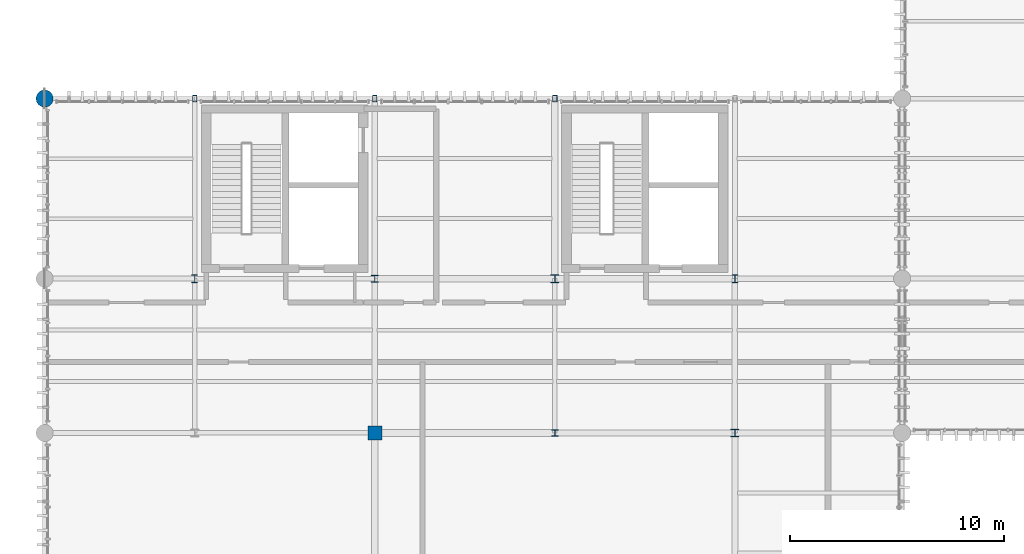
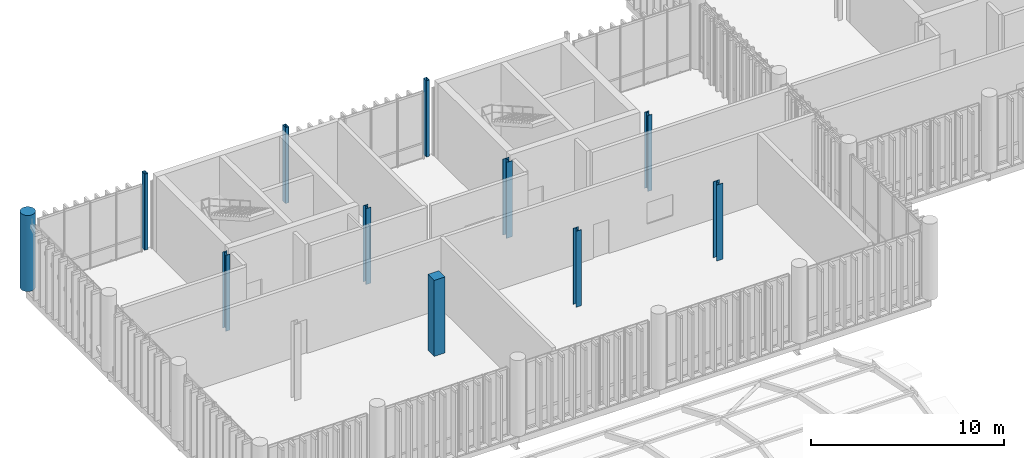
# One storey, part 2 of 94: 11 columns.
"""IFC4 building model written with IfcOpenShell, lengths in metres."""

from ifc_helpers import new_model, si_unit, direction, frame, origin_with_axes, origin_2d_with_axis, place, context, subcontext, project, spatial, rectangle, hollow_rectangle, circle, i_section, extrude, material, material_profile, profile_set, type_object, element, save


model = new_model("IFC4")

# Units and contexts
model_context = context("Model", 3, precision=1e-05, world=origin_with_axes(), true_north=direction((0.0, 1.0)))
body_context = subcontext(model_context, "Body", "Model", "MODEL_VIEW")
ifc_project = project(units=[si_unit("LENGTHUNIT", "METRE"), si_unit("AREAUNIT", "SQUARE_METRE"), si_unit("VOLUMEUNIT", "CUBIC_METRE"), si_unit("PLANEANGLEUNIT", "RADIAN"), si_unit("MASSUNIT", "GRAM", prefix="KILO"), si_unit("THERMODYNAMICTEMPERATUREUNIT", "KELVIN")], contexts=[model_context])

# Site, building, storey
site_placement = place(None, origin_with_axes())
site = spatial("IfcSite", under=ifc_project, at=site_placement, CompositionType="ELEMENT")
building_placement = place(site_placement, origin_with_axes())
building = spatial("IfcBuilding", under=site, at=building_placement, Name="Montbau Bow Law Courts", CompositionType="ELEMENT")
storey_placement = place(building_placement, frame((0.0, 0.0, 15.6), z_axis=(0.0, 0.0, 1.0), x_axis=(1.0, 0.0, 0.0)))
storey = spatial("IfcBuildingStorey", under=building, at=storey_placement, Name="L03", CompositionType="ELEMENT", Elevation=15.6)

# Columns
ifc_material_1 = material(Name="Steel CSA G40.21 Grade 350WT (350 MPa)", Category="steel")
ifc_material_profile_1 = material_profile(ifc_material_1, hollow_rectangle(XDim=0.203, YDim=0.305, WallThickness=0.0127, InnerFilletRadius=0.0254, OuterFilletRadius=0.0127, at=origin_2d_with_axis()), Name="HSS305X203X13", Category="Main", Priority=0)
ifc_profile_set_1 = profile_set([ifc_material_profile_1], Name="Steel CSA G40.21 Grade 350WT (350 MPa)")
column_type_1 = type_object("IfcColumnType", Name="C-HSS-03", PredefinedType="COLUMN", material=ifc_profile_set_1)
for number, where, z_axis, x_axis, name in (
    (1, (13.8, 54.6, 15.6), (0.0, 0.0, 1.0), (1.0, 0.0, 0.0), "C-L03-S0650:col2_0650"),
    (2, (22.2, 54.6, 15.6), (0.0, 0.0, 1.0), (1.0, 0.0, 0.0), "C-L03-S0654:col2_0654"),
    (3, (30.6, 54.6, 15.6), (0.0, 0.0, 1.0), (1.0, 0.0, 0.0), "C-L03-S0658:col2_0658"),
):
    element("IfcColumn", number, at=place(None, frame(where, z_axis=z_axis, x_axis=x_axis)), inside=storey, type_object=column_type_1, Name=name, PredefinedType="COLUMN", context=body_context, shape_type="SweptSolid", body=[
        extrude(hollow_rectangle(XDim=0.203, YDim=0.305, WallThickness=0.0127, InnerFilletRadius=0.0254, OuterFilletRadius=0.0127, at=origin_2d_with_axis()), origin_with_axes(), (0.0, 0.0, 1.0), 4.8),
    ])
ifc_material_2 = material(Name="Concrete CSA A23.1 f'c 40 MPa", Category="concrete")
ifc_material_profile_2 = material_profile(ifc_material_2, rectangle(XDim=0.65, YDim=0.65, at=origin_2d_with_axis()), Name="RC650X650", Category="Main", Priority=0)
ifc_profile_set_2 = profile_set([ifc_material_profile_2], Name="Concrete CSA A23.1 f'c 40 MPa")
column_type_2 = type_object("IfcColumnType", Name="C-RC-05", PredefinedType="COLUMN", material=ifc_profile_set_2)
column_1_placement = place(None, frame((22.2, 39.0, 15.6), z_axis=(0.0, 0.0, 1.0), x_axis=(1.0, 0.0, 0.0)))
element("IfcColumn", 4, at=column_1_placement, inside=storey, type_object=column_type_2, Name="C-L03-S0652:col2_0652", PredefinedType="COLUMN", context=body_context, shape_type="SweptSolid", body=[
    extrude(rectangle(XDim=0.65, YDim=0.65, at=origin_2d_with_axis()), origin_with_axes(), (0.0, 0.0, 1.0), 4.8),
])
ifc_material_profile_3 = material_profile(ifc_material_2, circle(Radius=0.4, at=origin_2d_with_axis()), Name="RC800D", Category="Main", Priority=0)
ifc_profile_set_3 = profile_set([ifc_material_profile_3], Name="Concrete CSA A23.1 f'c 40 MPa")
column_type_3 = type_object("IfcColumnType", Name="C-RC-07", PredefinedType="COLUMN", material=ifc_profile_set_3)
column_2_placement = place(None, frame((6.8, 54.6, 15.6), z_axis=(0.0, 0.0, 1.0), x_axis=(1.0, 0.0, 0.0)))
element("IfcColumn", 5, at=column_2_placement, inside=storey, type_object=column_type_3, Name="C-L03-S0646:col2_0646", PredefinedType="COLUMN", context=body_context, shape_type="SweptSolid", body=[
    extrude(circle(Radius=0.4, at=origin_2d_with_axis()), origin_with_axes(), (0.0, 0.0, 1.0), 4.8),
])
ifc_material_3 = material(Name="Steel CSA G40.21 Grade 350W (350 MPa)", Category="steel")
ifc_material_profile_4 = material_profile(ifc_material_3, i_section(OverallWidth=0.373, OverallDepth=0.368, WebThickness=0.015, FlangeThickness=0.0239, at=origin_2d_with_axis()), Name="W360X179", Category="Main", Priority=0)
ifc_profile_set_4 = profile_set([ifc_material_profile_4], Name="Steel CSA G40.21 Grade 350W (350 MPa)")
column_type_4 = type_object("IfcColumnType", Name="C-STL-04", PredefinedType="COLUMN", material=ifc_profile_set_4)
for number, where, z_axis, x_axis, name in (
    (6, (30.6, 46.2, 15.6), (0.0, 0.0, 1.0), (1.0, 0.0, 0.0), "C-L03-S0657:col2_0657"),
    (7, (39.0, 39.0, 15.6), (0.0, 0.0, 1.0), (1.0, 0.0, 0.0), "C-L03-S0660:col2_0660"),
):
    element("IfcColumn", number, at=place(None, frame(where, z_axis=z_axis, x_axis=x_axis)), inside=storey, type_object=column_type_4, Name=name, PredefinedType="COLUMN", context=body_context, shape_type="SweptSolid", body=[
        extrude(i_section(OverallWidth=0.373, OverallDepth=0.368, WebThickness=0.015, FlangeThickness=0.0239, at=origin_2d_with_axis()), origin_with_axes(), (0.0, 0.0, 1.0), 4.8),
    ])
ifc_material_profile_5 = material_profile(ifc_material_3, i_section(OverallWidth=0.257, OverallDepth=0.363, WebThickness=0.013, FlangeThickness=0.0217, at=origin_2d_with_axis()), Name="W360X122", Category="Main", Priority=0)
ifc_profile_set_5 = profile_set([ifc_material_profile_5], Name="Steel CSA G40.21 Grade 350W (350 MPa)")
column_type_5 = type_object("IfcColumnType", Name="C-STL-05", PredefinedType="COLUMN", material=ifc_profile_set_5)
for number, where, z_axis, x_axis, name in (
    (8, (13.8, 46.2, 15.6), (0.0, 0.0, 1.0), (1.0, 0.0, 0.0), "C-L03-S0649:col2_0649"),
    (9, (39.0, 46.2, 15.6), (0.0, 0.0, 1.0), (1.0, 0.0, 0.0), "C-L03-S0661:col2_0661"),
):
    element("IfcColumn", number, at=place(None, frame(where, z_axis=z_axis, x_axis=x_axis)), inside=storey, type_object=column_type_5, Name=name, PredefinedType="COLUMN", context=body_context, shape_type="SweptSolid", body=[
        extrude(i_section(OverallWidth=0.257, OverallDepth=0.363, WebThickness=0.013, FlangeThickness=0.0217, at=origin_2d_with_axis()), origin_with_axes(), (0.0, 0.0, 1.0), 4.8),
    ])
ifc_material_profile_6 = material_profile(ifc_material_3, i_section(OverallWidth=0.309, OverallDepth=0.323, WebThickness=0.014, FlangeThickness=0.0229, at=origin_2d_with_axis()), Name="W310X143", Category="Main", Priority=0)
ifc_profile_set_6 = profile_set([ifc_material_profile_6], Name="Steel CSA G40.21 Grade 350W (350 MPa)")
column_type_6 = type_object("IfcColumnType", Name="C-STL-06", PredefinedType="COLUMN", material=ifc_profile_set_6)
for number, where, z_axis, x_axis, name in (
    (10, (22.2, 46.2, 15.6), (0.0, 0.0, 1.0), (1.0, 0.0, 0.0), "C-L03-S0653:col2_0653"),
    (11, (30.6, 39.0, 15.6), (0.0, 0.0, 1.0), (1.0, 0.0, 0.0), "C-L03-S0656:col2_0656"),
):
    element("IfcColumn", number, at=place(None, frame(where, z_axis=z_axis, x_axis=x_axis)), inside=storey, type_object=column_type_6, Name=name, PredefinedType="COLUMN", context=body_context, shape_type="SweptSolid", body=[
        extrude(i_section(OverallWidth=0.309, OverallDepth=0.323, WebThickness=0.014, FlangeThickness=0.0229, at=origin_2d_with_axis()), origin_with_axes(), (0.0, 0.0, 1.0), 4.8),
    ])

save(model, "model.ifc")
